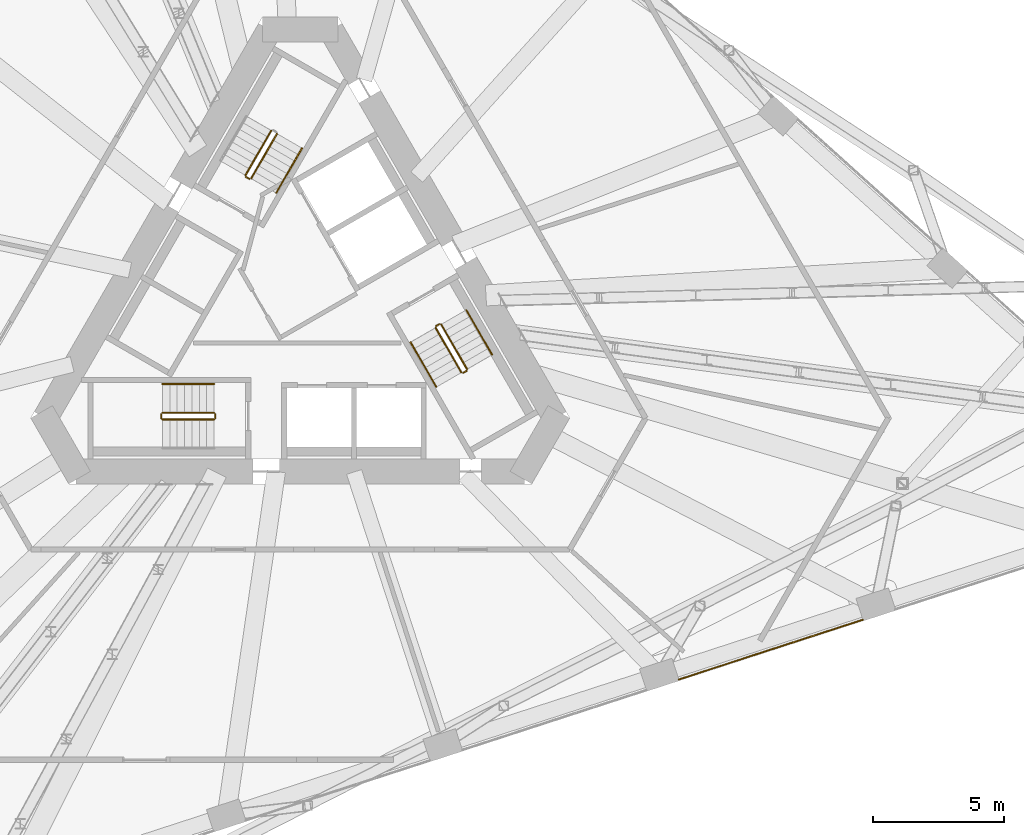
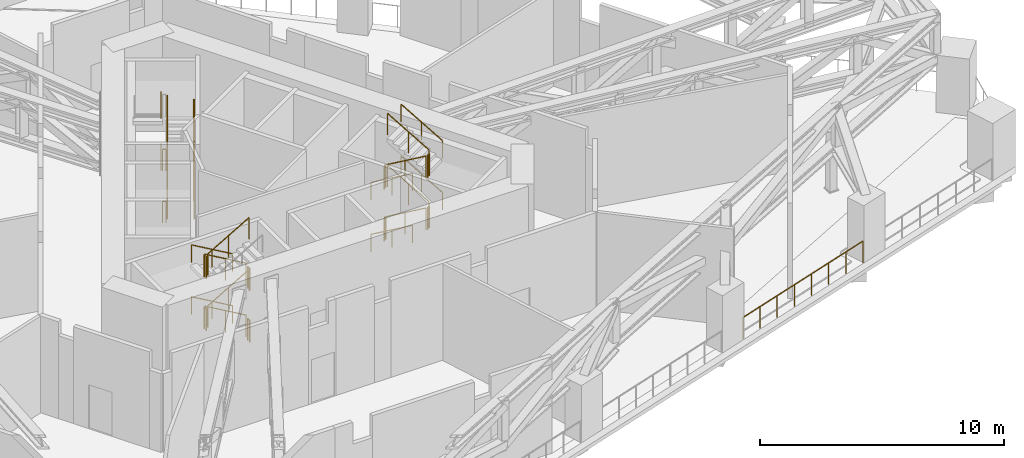
# One storey, part 21 of 24: 31 railings.
"""IFC4 building model written with IfcOpenShell, lengths in metres."""

from ifc_helpers import new_model, si_unit, direction, frame, origin, origin_2d, place, context, subcontext, project, spatial, circle, extrude, material, type_object, element, save


model = new_model("IFC4")

# Units and contexts
model_context = context("Model", 3, precision=1e-05, world=origin(), true_north=direction((0.0, 1.0)))
body_context = subcontext(model_context, "Body", "Model", "MODEL_VIEW")
ifc_project = project(units=[si_unit("LENGTHUNIT", "METRE"), si_unit("AREAUNIT", "SQUARE_METRE"), si_unit("VOLUMEUNIT", "CUBIC_METRE"), si_unit("PLANEANGLEUNIT", "RADIAN"), si_unit("MASSUNIT", "GRAM", prefix="KILO")], contexts=[model_context])

# Site, building, storey
site_placement = place(None, origin())
site = spatial("IfcSite", under=ifc_project, at=site_placement, CompositionType="ELEMENT")
building_placement = place(site_placement, origin())
building = spatial("IfcBuilding", under=site, at=building_placement, Name="Tramontana Tower", CompositionType="ELEMENT")
storey_placement = place(building_placement, frame((0.0, 0.0, 120.39990234375)))
storey = spatial("IfcBuildingStorey", under=building, at=storey_placement, Name="L27", CompositionType="ELEMENT", Elevation=120.39990234375)

# Railings
ifc_material_1 = material(Name="Stainless steel rail and posts", Category="steel")
railing_type_1 = type_object("IfcRailingType", Name="GD2 Terrace guard 1100", PredefinedType="GUARDRAIL", material=ifc_material_1)
railing_1_placement = place(storey_placement, frame((14.4013671875, -14.1943359375, 0.0)))
element("IfcRailing", 1, at=railing_1_placement, inside=storey, type_object=railing_type_1, Name="Edge guard L27 17", PredefinedType="GUARDRAIL", context=body_context, shape_type="SweptSolid", body=[
    extrude(circle(Radius=0.02392578125, at=origin_2d()), frame((0.0, 0.0, 1.076171875), z_axis=(0.951057467065, 0.309014068191, 0.0), x_axis=(-0.309014068191, 0.951057467065, 0.0)), (0.0, 0.0, 1.0), 7.360107421875),
    extrude(circle(Radius=0.02099609375, at=origin_2d()), origin(), (0.0, 0.0, 1.0), 1.052001953125),
    extrude(circle(Radius=0.02099609375, at=origin_2d()), frame((1.0, 0.324951171875, 0.0)), (0.0, 0.0, 1.0), 1.052001953125),
    extrude(circle(Radius=0.02099609375, at=origin_2d()), frame((2.0, 0.64990234375, 0.0)), (0.0, 0.0, 1.0), 1.052001953125),
    extrude(circle(Radius=0.02099609375, at=origin_2d()), frame((3.0, 0.974853515625, 0.0)), (0.0, 0.0, 1.0), 1.052001953125),
    extrude(circle(Radius=0.02099609375, at=origin_2d()), frame((4.0, 1.299560546875, 0.0)), (0.0, 0.0, 1.0), 1.052001953125),
    extrude(circle(Radius=0.02099609375, at=origin_2d()), frame((5.0, 1.62451171875, 0.0)), (0.0, 0.0, 1.0), 1.052001953125),
    extrude(circle(Radius=0.02099609375, at=origin_2d()), frame((6.0, 1.949462890625, 0.0)), (0.0, 0.0, 1.0), 1.052001953125),
    extrude(circle(Radius=0.02099609375, at=origin_2d()), frame((7.0, 2.2744140625, 0.0)), (0.0, 0.0, 1.0), 1.052001953125),
])
ifc_material_2 = material(Name="Painted steel", Category="steel")
railing_type_2 = type_object("IfcRailingType", Name="STAIR GUARD 1100", PredefinedType="GUARDRAIL", material=ifc_material_2)
railing_2_placement = place(storey_placement, frame((-1.867431640625, 4.865478515625, 0.16259765625)))
element("IfcRailing", 2, at=railing_2_placement, inside=storey, type_object=railing_type_2, Name="L27 ST1 stair guard 1", PredefinedType="GUARDRAIL", context=body_context, shape_type="SweptSolid", body=[
    extrude(circle(Radius=0.02392578125, at=origin_2d()), frame((0.0, 0.0, 1.076171875), z_axis=(0.432431929651, 0.749053115811, 0.501918375746), x_axis=(-0.866042469362, 0.499970440388, 0.0)), (0.0, 0.0, 1.0), 2.26611328125),
    extrude(circle(Radius=0.02099609375, at=origin_2d()), origin(), (0.0, 0.0, 1.0), 1.052001953125),
    extrude(circle(Radius=0.02099609375, at=origin_2d()), frame((0.489990234375, 0.8486328125, 0.56884765625)), (0.0, 0.0, 1.0), 1.052001953125),
    extrude(circle(Radius=0.02099609375, at=origin_2d()), frame((0.97998046875, 1.697509765625, 1.137451171875)), (0.0, 0.0, 1.0), 1.052001953125),
])
railing_3_placement = place(storey_placement, frame((-1.10400390625, 6.68798828125, 1.462646484375)))
element("IfcRailing", 3, at=railing_3_placement, inside=storey, type_object=railing_type_2, Name="L27 ST1 stair guard 2", PredefinedType="GUARDRAIL", context=body_context, shape_type="SweptSolid", body=[
    extrude(circle(Radius=0.02392578125, at=origin_2d()), frame((0.0, 0.0, 1.076171875), z_axis=(-0.432431929651, -0.749053115811, 0.501918375746), x_axis=(0.866042469362, -0.499970440388, 0.0)), (0.0, 0.0, 1.0), 2.26611328125),
    extrude(circle(Radius=0.02099609375, at=origin_2d()), origin(), (0.0, 0.0, 1.0), 1.052001953125),
    extrude(circle(Radius=0.02099609375, at=origin_2d()), frame((-0.489990234375, -0.8486328125, 0.56884765625)), (0.0, 0.0, 1.0), 1.052001953125),
    extrude(circle(Radius=0.02099609375, at=origin_2d()), frame((-0.97998046875, -1.697509765625, 1.137451171875)), (0.0, 0.0, 1.0), 1.052001953125),
])
railing_4_placement = place(storey_placement, frame((-1.867431640625, 4.865478515625, 2.7626953125)))
element("IfcRailing", 4, at=railing_4_placement, inside=storey, type_object=railing_type_2, Name="L27 ST1 stair guard 3", PredefinedType="GUARDRAIL", context=body_context, shape_type="SweptSolid", body=[
    extrude(circle(Radius=0.02392578125, at=origin_2d()), frame((0.0, 0.0, 1.076171875), z_axis=(0.432431929651, 0.749053115811, 0.501918375746), x_axis=(-0.866042469362, 0.499970440388, 0.0)), (0.0, 0.0, 1.0), 2.26611328125),
    extrude(circle(Radius=0.02099609375, at=origin_2d()), origin(), (0.0, 0.0, 1.0), 1.052001953125),
    extrude(circle(Radius=0.02099609375, at=origin_2d()), frame((0.489990234375, 0.8486328125, 0.56884765625)), (0.0, 0.0, 1.0), 1.052001953125),
    extrude(circle(Radius=0.02099609375, at=origin_2d()), frame((0.97998046875, 1.697509765625, 1.137451171875)), (0.0, 0.0, 1.0), 1.052001953125),
])
railing_5_placement = place(storey_placement, frame((-1.10400390625, 6.68798828125, 4.0625)))
element("IfcRailing", 5, at=railing_5_placement, inside=storey, type_object=railing_type_2, Name="L27 ST1 stair guard 4", PredefinedType="GUARDRAIL", context=body_context, shape_type="SweptSolid", body=[
    extrude(circle(Radius=0.02392578125, at=origin_2d()), frame((0.0, 0.0, 1.076171875), z_axis=(-0.432408546523, -0.749012611852, 0.501998960338), x_axis=(0.866042469362, -0.499970440388, 0.0)), (0.0, 0.0, 1.0), 2.266357421875),
    extrude(circle(Radius=0.02099609375, at=origin_2d()), origin(), (0.0, 0.0, 1.0), 1.052001953125),
    extrude(circle(Radius=0.02099609375, at=origin_2d()), frame((-0.489990234375, -0.8486328125, 0.56884765625)), (0.0, 0.0, 1.0), 1.052001953125),
    extrude(circle(Radius=0.02099609375, at=origin_2d()), frame((-0.97998046875, -1.697509765625, 1.1376953125)), (0.0, 0.0, 1.0), 1.052001953125),
])
for number, where, name in (
    (6, (-1.935791015625, 4.84716796875, 2.60009765625), "L27 ST1 stair guard 6"),
    (7, (-1.935791015625, 4.84716796875, 0.0), "L27 ST1 stair guard 8"),
):
    element("IfcRailing", number, at=place(storey_placement, frame(where)), inside=storey, type_object=railing_type_2, Name=name, PredefinedType="GUARDRAIL", context=body_context, shape_type="SweptSolid", body=[
        extrude(circle(Radius=0.02392578125, at=origin_2d()), frame((0.0, 0.0, 1.076171875), z_axis=(-0.865426285481, 0.501036270542, 0.0), x_axis=(-0.501036270542, -0.865426285481, 0.0)), (0.0, 0.0, 1.0), 0.150146484375),
        extrude(circle(Radius=0.02099609375, at=origin_2d()), origin(), (0.0, 0.0, 1.0), 1.052001953125),
        extrude(circle(Radius=0.02099609375, at=origin_2d()), frame((-0.1298828125, 0.0751953125, 0.0)), (0.0, 0.0, 1.0), 1.052001953125),
    ])
railing_6_placement = place(storey_placement, frame((-3.280029296875, -4.050048828125, 0.16259765625)))
element("IfcRailing", 8, at=railing_6_placement, inside=storey, type_object=railing_type_2, Name="L27 ST2 stair guard 1", PredefinedType="GUARDRAIL", context=body_context, shape_type="SweptSolid", body=[
    extrude(circle(Radius=0.02392578125, at=origin_2d()), frame((0.0, 0.0, 1.076171875), z_axis=(-0.864902109995, 0.0, 0.501940574298), x_axis=(0.0, -1.0, 0.0)), (0.0, 0.0, 1.0), 2.26611328125),
    extrude(circle(Radius=0.02099609375, at=origin_2d()), origin(), (0.0, 0.0, 1.0), 1.052001953125),
    extrude(circle(Radius=0.02099609375, at=origin_2d()), frame((-0.97998046875, 0.0, 0.56884765625)), (0.0, 0.0, 1.0), 1.052001953125),
    extrude(circle(Radius=0.02099609375, at=origin_2d()), frame((-1.9599609375, 0.0, 1.137451171875)), (0.0, 0.0, 1.0), 1.052001953125),
])
railing_7_placement = place(storey_placement, frame((-5.239990234375, -4.300048828125, 1.462646484375)))
element("IfcRailing", 9, at=railing_7_placement, inside=storey, type_object=railing_type_2, Name="L27 ST2 stair guard 2", PredefinedType="GUARDRAIL", context=body_context, shape_type="SweptSolid", body=[
    extrude(circle(Radius=0.02392578125, at=origin_2d()), frame((0.0, 0.0, 1.076171875), z_axis=(0.864902109995, 0.0, 0.501940574298), x_axis=(0.0, 1.0, 0.0)), (0.0, 0.0, 1.0), 2.26611328125),
    extrude(circle(Radius=0.02099609375, at=origin_2d()), origin(), (0.0, 0.0, 1.0), 1.052001953125),
    extrude(circle(Radius=0.02099609375, at=origin_2d()), frame((0.97998046875, 0.0, 0.56884765625)), (0.0, 0.0, 1.0), 1.052001953125),
    extrude(circle(Radius=0.02099609375, at=origin_2d()), frame((1.9599609375, 0.0, 1.137451171875)), (0.0, 0.0, 1.0), 1.052001953125),
])
railing_8_placement = place(storey_placement, frame((-3.280029296875, -4.050048828125, 2.7626953125)))
element("IfcRailing", 10, at=railing_8_placement, inside=storey, type_object=railing_type_2, Name="L27 ST2 stair guard 3", PredefinedType="GUARDRAIL", context=body_context, shape_type="SweptSolid", body=[
    extrude(circle(Radius=0.02392578125, at=origin_2d()), frame((0.0, 0.0, 1.076171875), z_axis=(-0.864902109995, 0.0, 0.501940574298), x_axis=(0.0, -1.0, 0.0)), (0.0, 0.0, 1.0), 2.26611328125),
    extrude(circle(Radius=0.02099609375, at=origin_2d()), origin(), (0.0, 0.0, 1.0), 1.052001953125),
    extrude(circle(Radius=0.02099609375, at=origin_2d()), frame((-0.97998046875, 0.0, 0.56884765625)), (0.0, 0.0, 1.0), 1.052001953125),
    extrude(circle(Radius=0.02099609375, at=origin_2d()), frame((-1.9599609375, 0.0, 1.137451171875)), (0.0, 0.0, 1.0), 1.052001953125),
])
railing_9_placement = place(storey_placement, frame((-5.239990234375, -4.300048828125, 4.0625)))
element("IfcRailing", 11, at=railing_9_placement, inside=storey, type_object=railing_type_2, Name="L27 ST2 stair guard 4", PredefinedType="GUARDRAIL", context=body_context, shape_type="SweptSolid", body=[
    extrude(circle(Radius=0.02392578125, at=origin_2d()), frame((0.0, 0.0, 1.076171875), z_axis=(0.864855337533, 0.0, 0.502021160053), x_axis=(0.0, 1.0, 0.0)), (0.0, 0.0, 1.0), 2.26611328125),
    extrude(circle(Radius=0.02099609375, at=origin_2d()), origin(), (0.0, 0.0, 1.0), 1.052001953125),
    extrude(circle(Radius=0.02099609375, at=origin_2d()), frame((0.97998046875, 0.0, 0.56884765625)), (0.0, 0.0, 1.0), 1.052001953125),
    extrude(circle(Radius=0.02099609375, at=origin_2d()), frame((1.9599609375, 0.0, 1.1376953125)), (0.0, 0.0, 1.0), 1.052001953125),
])
for number, where, name in (
    (12, (-5.2900390625, -4.10009765625, 1.300048828125), "L27 ST2 stair guard 5"),
    (13, (-3.22998046875, -4.10009765625, 2.60009765625), "L27 ST2 stair guard 6"),
    (14, (-5.2900390625, -4.10009765625, 3.900146484375), "L27 ST2 stair guard 7"),
    (15, (-3.22998046875, -4.10009765625, 0.0), "L27 ST2 stair guard 8"),
):
    element("IfcRailing", number, at=place(storey_placement, frame(where)), inside=storey, type_object=railing_type_2, Name=name, PredefinedType="GUARDRAIL", context=body_context, shape_type="SweptSolid", body=[
        extrude(circle(Radius=0.02392578125, at=origin_2d()), frame((0.0, 0.0, 1.076171875), z_axis=(0.0, -1.0, 0.0), x_axis=(1.0, 0.0, 0.0)), (0.0, 0.0, 1.0), 0.14990234375),
        extrude(circle(Radius=0.02099609375, at=origin_2d()), origin(), (0.0, 0.0, 1.0), 1.052001953125),
        extrude(circle(Radius=0.02099609375, at=origin_2d()), frame((0.0, -0.14990234375, 0.0)), (0.0, 0.0, 1.0), 1.052001953125),
    ])
railing_10_placement = place(storey_placement, frame((5.1474609375, -0.815673828125, 0.16259765625)))
element("IfcRailing", 16, at=railing_10_placement, inside=storey, type_object=railing_type_2, Name="L27 ST3 stair guard 1", PredefinedType="GUARDRAIL", context=body_context, shape_type="SweptSolid", body=[
    extrude(circle(Radius=0.02392578125, at=origin_2d()), frame((0.0, 0.0, 1.076171875), z_axis=(0.432466826973, -0.749005824891, 0.501958880634), x_axis=(0.866011328839, 0.500024377727, 0.0)), (0.0, 0.0, 1.0), 2.26611328125),
    extrude(circle(Radius=0.02099609375, at=origin_2d()), origin(), (0.0, 0.0, 1.0), 1.052001953125),
    extrude(circle(Radius=0.02099609375, at=origin_2d()), frame((0.489990234375, -0.8486328125, 0.56884765625)), (0.0, 0.0, 1.0), 1.052001953125),
    extrude(circle(Radius=0.02099609375, at=origin_2d()), frame((0.97998046875, -1.697265625, 1.137451171875)), (0.0, 0.0, 1.0), 1.052001953125),
])
railing_11_placement = place(storey_placement, frame((6.343994140625, -2.387939453125, 1.462646484375)))
element("IfcRailing", 17, at=railing_11_placement, inside=storey, type_object=railing_type_2, Name="L27 ST3 stair guard 2", PredefinedType="GUARDRAIL", context=body_context, shape_type="SweptSolid", body=[
    extrude(circle(Radius=0.02392578125, at=origin_2d()), frame((0.0, 0.0, 1.076171875), z_axis=(-0.432466826973, 0.749005824891, 0.501958880634), x_axis=(-0.866011328839, -0.500024377727, 0.0)), (0.0, 0.0, 1.0), 2.26611328125),
    extrude(circle(Radius=0.02099609375, at=origin_2d()), origin(), (0.0, 0.0, 1.0), 1.052001953125),
    extrude(circle(Radius=0.02099609375, at=origin_2d()), frame((-0.489990234375, 0.8486328125, 0.56884765625)), (0.0, 0.0, 1.0), 1.052001953125),
    extrude(circle(Radius=0.02099609375, at=origin_2d()), frame((-0.97998046875, 1.697265625, 1.137451171875)), (0.0, 0.0, 1.0), 1.052001953125),
])
railing_12_placement = place(storey_placement, frame((5.1474609375, -0.815673828125, 2.7626953125)))
element("IfcRailing", 18, at=railing_12_placement, inside=storey, type_object=railing_type_2, Name="L27 ST3 stair guard 3", PredefinedType="GUARDRAIL", context=body_context, shape_type="SweptSolid", body=[
    extrude(circle(Radius=0.02392578125, at=origin_2d()), frame((0.0, 0.0, 1.076171875), z_axis=(0.432466826973, -0.749005824891, 0.501958880634), x_axis=(0.866011328839, 0.500024377727, 0.0)), (0.0, 0.0, 1.0), 2.26611328125),
    extrude(circle(Radius=0.02099609375, at=origin_2d()), origin(), (0.0, 0.0, 1.0), 1.052001953125),
    extrude(circle(Radius=0.02099609375, at=origin_2d()), frame((0.489990234375, -0.8486328125, 0.56884765625)), (0.0, 0.0, 1.0), 1.052001953125),
    extrude(circle(Radius=0.02099609375, at=origin_2d()), frame((0.97998046875, -1.697265625, 1.137451171875)), (0.0, 0.0, 1.0), 1.052001953125),
])
railing_13_placement = place(storey_placement, frame((6.343994140625, -2.387939453125, 4.0625)))
element("IfcRailing", 19, at=railing_13_placement, inside=storey, type_object=railing_type_2, Name="L27 ST3 stair guard 4", PredefinedType="GUARDRAIL", context=body_context, shape_type="SweptSolid", body=[
    extrude(circle(Radius=0.02392578125, at=origin_2d()), frame((0.0, 0.0, 1.076171875), z_axis=(-0.432443438183, 0.748965316953, 0.502039467347), x_axis=(-0.866011328839, -0.500024377727, 0.0)), (0.0, 0.0, 1.0), 2.26611328125),
    extrude(circle(Radius=0.02099609375, at=origin_2d()), origin(), (0.0, 0.0, 1.0), 1.052001953125),
    extrude(circle(Radius=0.02099609375, at=origin_2d()), frame((-0.489990234375, 0.8486328125, 0.56884765625)), (0.0, 0.0, 1.0), 1.052001953125),
    extrude(circle(Radius=0.02099609375, at=origin_2d()), frame((-0.97998046875, 1.697265625, 1.1376953125)), (0.0, 0.0, 1.0), 1.052001953125),
])
for number, where, name in (
    (20, (6.19580078125, -2.53125, 1.300048828125), "L27 ST3 stair guard 5"),
    (21, (5.165771484375, -0.747314453125, 2.60009765625), "L27 ST3 stair guard 6"),
    (22, (6.19580078125, -2.53125, 3.900146484375), "L27 ST3 stair guard 7"),
    (23, (5.165771484375, -0.747314453125, 0.0), "L27 ST3 stair guard 8"),
):
    element("IfcRailing", number, at=place(storey_placement, frame(where)), inside=storey, type_object=railing_type_2, Name=name, PredefinedType="GUARDRAIL", context=body_context, shape_type="SweptSolid", body=[
        extrude(circle(Radius=0.02392578125, at=origin_2d()), frame((0.0, 0.0, 1.076171875), z_axis=(0.866131372301, 0.499816412211, 0.0), x_axis=(-0.499816412211, 0.866131372301, 0.0)), (0.0, 0.0, 1.0), 0.14990234375),
        extrude(circle(Radius=0.02099609375, at=origin_2d()), origin(), (0.0, 0.0, 1.0), 1.052001953125),
        extrude(circle(Radius=0.02099609375, at=origin_2d()), frame((0.1298828125, 0.074951171875, 0.0)), (0.0, 0.0, 1.0), 1.052001953125),
    ])
ifc_material_3 = material(Name="Painted steel", Category="steel")
railing_type_3 = type_object("IfcRailingType", Name="STAIR HANDRAIL 900", PredefinedType="HANDRAIL", material=ifc_material_3)
for number, where, name in (
    (24, (-0.914794921875, 4.315673828125, 0.16259765625), "L27 ST1 stair handrail 1"),
    (25, (-0.914794921875, 4.315673828125, 2.7626953125), "L27 ST1 stair handrail 3"),
):
    element("IfcRailing", number, at=place(storey_placement, frame(where)), inside=storey, type_object=railing_type_3, Name=name, PredefinedType="HANDRAIL", context=body_context, shape_type="SweptSolid", body=[
        extrude(circle(Radius=0.02392578125, at=origin_2d()), frame((0.0, 0.0, 0.8759765625), z_axis=(0.432466826973, 0.749005824891, 0.501958880634), x_axis=(-0.866011328839, 0.500024377727, 0.0)), (0.0, 0.0, 1.0), 2.26611328125),
        extrude(circle(Radius=0.02099609375, at=origin_2d()), origin(), (0.0, 0.0, 1.0), 0.851806640625),
        extrude(circle(Radius=0.02099609375, at=origin_2d()), frame((0.489990234375, 0.8486328125, 0.56884765625)), (0.0, 0.0, 1.0), 0.851806640625),
        extrude(circle(Radius=0.02099609375, at=origin_2d()), frame((0.97998046875, 1.697265625, 1.137451171875)), (0.0, 0.0, 1.0), 0.851806640625),
    ])
for number, where, name in (
    (26, (-3.280029296875, -2.949951171875, 0.16259765625), "L27 ST2 stair handrail 1"),
    (27, (-3.280029296875, -2.949951171875, 2.7626953125), "L27 ST2 stair handrail 3"),
):
    element("IfcRailing", number, at=place(storey_placement, frame(where)), inside=storey, type_object=railing_type_3, Name=name, PredefinedType="HANDRAIL", context=body_context, shape_type="SweptSolid", body=[
        extrude(circle(Radius=0.02392578125, at=origin_2d()), frame((0.0, 0.0, 0.8759765625), z_axis=(-0.864902109995, 0.0, 0.501940574298), x_axis=(0.0, -1.0, 0.0)), (0.0, 0.0, 1.0), 2.26611328125),
        extrude(circle(Radius=0.02099609375, at=origin_2d()), origin(), (0.0, 0.0, 1.0), 0.851806640625),
        extrude(circle(Radius=0.02099609375, at=origin_2d()), frame((-0.97998046875, 0.0, 0.56884765625)), (0.0, 0.0, 1.0), 0.851806640625),
        extrude(circle(Radius=0.02099609375, at=origin_2d()), frame((-1.9599609375, 0.0, 1.137451171875)), (0.0, 0.0, 1.0), 0.851806640625),
    ])
railing_14_placement = place(storey_placement, frame((4.19482421875, -1.365478515625, 0.16259765625)))
element("IfcRailing", 28, at=railing_14_placement, inside=storey, type_object=railing_type_3, Name="L27 ST3 stair handrail 1", PredefinedType="HANDRAIL", context=body_context, shape_type="SweptSolid", body=[
    extrude(circle(Radius=0.02392578125, at=origin_2d()), frame((0.0, 0.0, 0.8759765625), z_axis=(0.432431929651, -0.749053115811, 0.501918375746), x_axis=(0.866042469362, 0.499970440388, 0.0)), (0.0, 0.0, 1.0), 2.26611328125),
    extrude(circle(Radius=0.02099609375, at=origin_2d()), origin(), (0.0, 0.0, 1.0), 0.851806640625),
    extrude(circle(Radius=0.02099609375, at=origin_2d()), frame((0.489990234375, -0.8486328125, 0.56884765625)), (0.0, 0.0, 1.0), 0.851806640625),
    extrude(circle(Radius=0.02099609375, at=origin_2d()), frame((0.97998046875, -1.697509765625, 1.137451171875)), (0.0, 0.0, 1.0), 0.851806640625),
])
railing_15_placement = place(storey_placement, frame((7.296630859375, -1.837890625, 1.462646484375)))
element("IfcRailing", 29, at=railing_15_placement, inside=storey, type_object=railing_type_3, Name="L27 ST3 stair handrail 2", PredefinedType="HANDRAIL", context=body_context, shape_type="SweptSolid", body=[
    extrude(circle(Radius=0.02392578125, at=origin_2d()), frame((0.0, 0.0, 0.8759765625), z_axis=(-0.432466826973, 0.749005824891, 0.501958880634), x_axis=(-0.866011328839, -0.500024377727, 0.0)), (0.0, 0.0, 1.0), 2.26611328125),
    extrude(circle(Radius=0.02099609375, at=origin_2d()), origin(), (0.0, 0.0, 1.0), 0.851806640625),
    extrude(circle(Radius=0.02099609375, at=origin_2d()), frame((-0.489990234375, 0.8486328125, 0.56884765625)), (0.0, 0.0, 1.0), 0.851806640625),
    extrude(circle(Radius=0.02099609375, at=origin_2d()), frame((-0.97998046875, 1.697265625, 1.137451171875)), (0.0, 0.0, 1.0), 0.851806640625),
])
railing_16_placement = place(storey_placement, frame((4.19482421875, -1.365478515625, 2.7626953125)))
element("IfcRailing", 30, at=railing_16_placement, inside=storey, type_object=railing_type_3, Name="L27 ST3 stair handrail 3", PredefinedType="HANDRAIL", context=body_context, shape_type="SweptSolid", body=[
    extrude(circle(Radius=0.02392578125, at=origin_2d()), frame((0.0, 0.0, 0.8759765625), z_axis=(0.432431929651, -0.749053115811, 0.501918375746), x_axis=(0.866042469362, 0.499970440388, 0.0)), (0.0, 0.0, 1.0), 2.26611328125),
    extrude(circle(Radius=0.02099609375, at=origin_2d()), origin(), (0.0, 0.0, 1.0), 0.851806640625),
    extrude(circle(Radius=0.02099609375, at=origin_2d()), frame((0.489990234375, -0.8486328125, 0.56884765625)), (0.0, 0.0, 1.0), 0.851806640625),
    extrude(circle(Radius=0.02099609375, at=origin_2d()), frame((0.97998046875, -1.697509765625, 1.137451171875)), (0.0, 0.0, 1.0), 0.851806640625),
])
railing_17_placement = place(storey_placement, frame((7.296630859375, -1.837890625, 4.0625)))
element("IfcRailing", 31, at=railing_17_placement, inside=storey, type_object=railing_type_3, Name="L27 ST3 stair handrail 4", PredefinedType="HANDRAIL", context=body_context, shape_type="SweptSolid", body=[
    extrude(circle(Radius=0.02392578125, at=origin_2d()), frame((0.0, 0.0, 0.8759765625), z_axis=(-0.432443438183, 0.748965316953, 0.502039467347), x_axis=(-0.866011328839, -0.500024377727, 0.0)), (0.0, 0.0, 1.0), 2.26611328125),
    extrude(circle(Radius=0.02099609375, at=origin_2d()), origin(), (0.0, 0.0, 1.0), 0.851806640625),
    extrude(circle(Radius=0.02099609375, at=origin_2d()), frame((-0.489990234375, 0.8486328125, 0.56884765625)), (0.0, 0.0, 1.0), 0.851806640625),
    extrude(circle(Radius=0.02099609375, at=origin_2d()), frame((-0.97998046875, 1.697265625, 1.1376953125)), (0.0, 0.0, 1.0), 0.851806640625),
])

save(model, "model.ifc")
